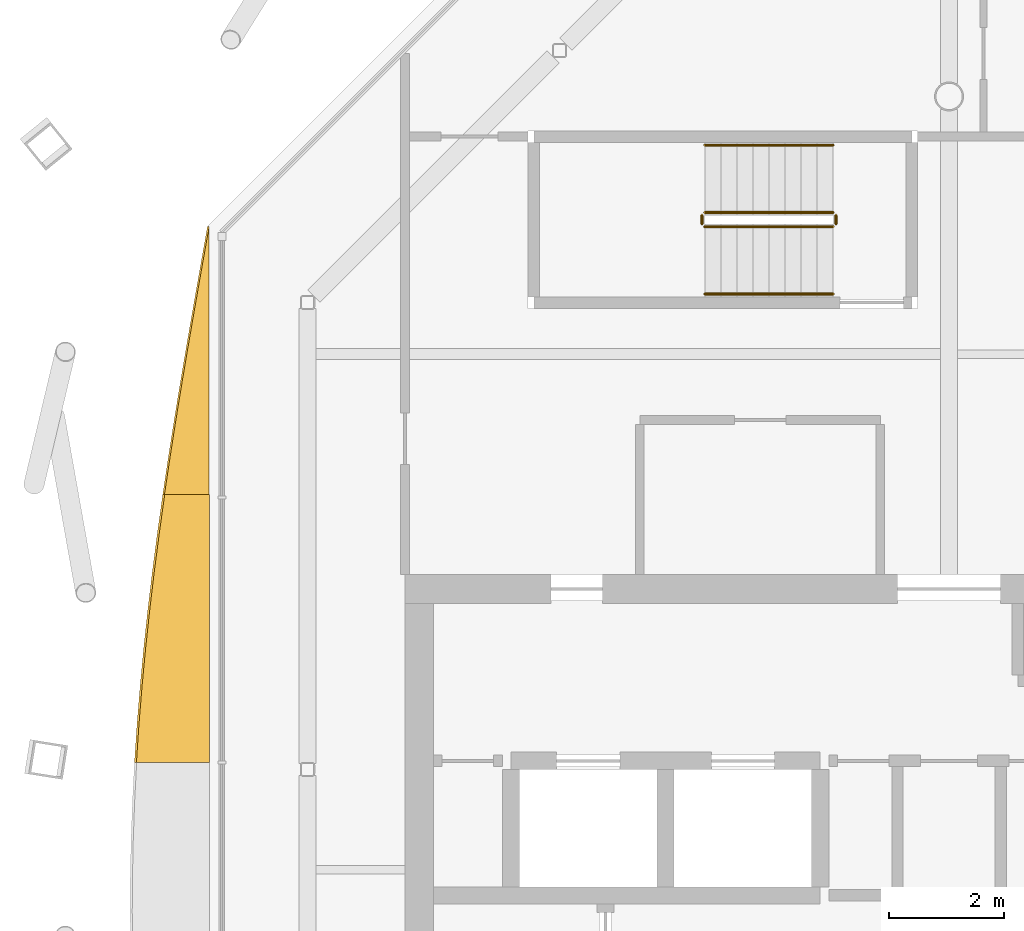
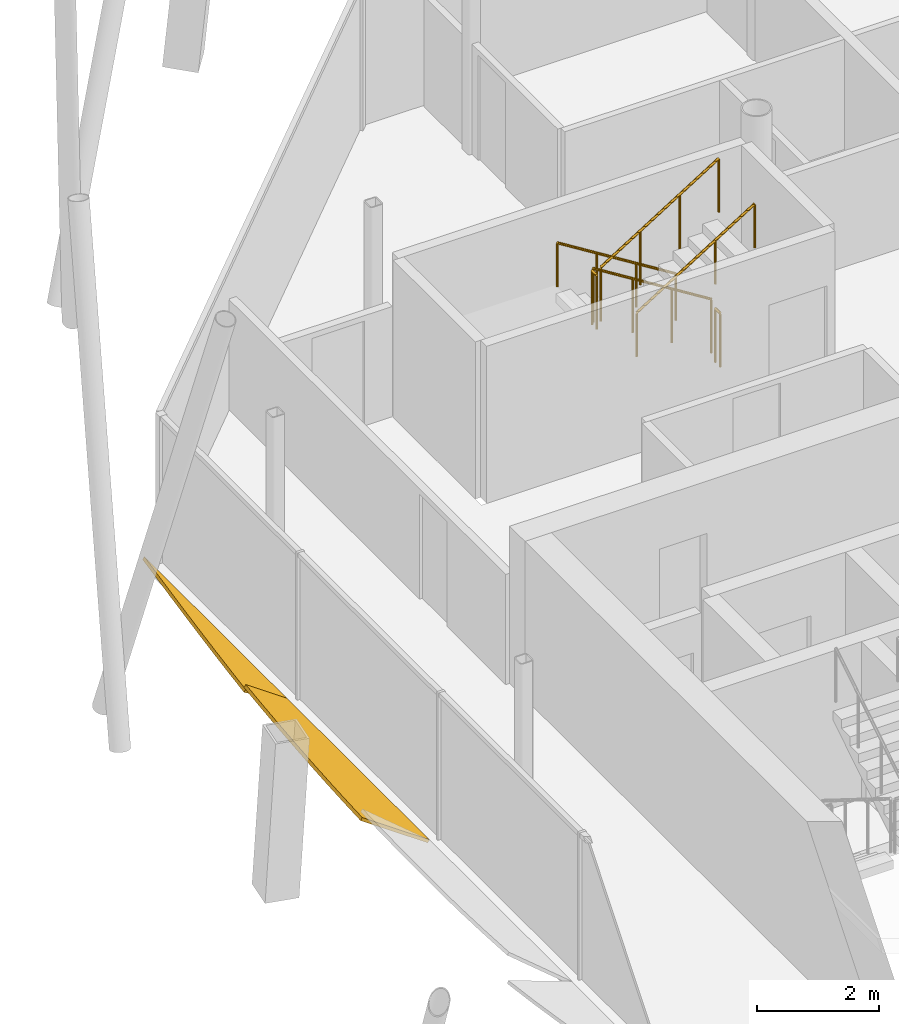
# One storey, part 12 of 13: 6 railings, 2 shading devices.
"""IFC4 building model written with IfcOpenShell, lengths in metres."""

from ifc_helpers import new_model, si_unit, direction, frame, origin, origin_2d, place, context, subcontext, project, spatial, polyline, circle, outline, extrude, material, layer, layer_set, type_object, element, save


model = new_model("IFC4")

# Units and contexts
model_context = context("Model", 3, precision=1e-05, world=origin(), true_north=direction((0.0, 1.0)))
body_context = subcontext(model_context, "Body", "Model", "MODEL_VIEW")
ifc_project = project(units=[si_unit("LENGTHUNIT", "METRE"), si_unit("AREAUNIT", "SQUARE_METRE"), si_unit("VOLUMEUNIT", "CUBIC_METRE"), si_unit("PLANEANGLEUNIT", "RADIAN"), si_unit("MASSUNIT", "GRAM", prefix="KILO")], contexts=[model_context])

# Site, building, storey
site_placement = place(None, origin())
site = spatial("IfcSite", under=ifc_project, at=site_placement, CompositionType="ELEMENT")
building_placement = place(site_placement, origin())
building = spatial("IfcBuilding", under=site, at=building_placement, Name="Tskaro Facet Tower", CompositionType="ELEMENT")
storey_placement = place(building_placement, frame((0.0, 0.0, 278.39990234375)))
storey = spatial("IfcBuildingStorey", under=building, at=storey_placement, Name="L74", CompositionType="ELEMENT", Elevation=278.39990234375)

# Shading devices
ifc_material_1 = material(Name="Bronze anodised aluminium 6063-T6", Category="aluminium")
ifc_layer = layer(ifc_material_1, 0.06005859375, Name="Bronze anodised aluminium 6063-T6")
ifc_layer_set = layer_set([ifc_layer], Name="Bronze anodised aluminium 6063-T6")
shading_device_type = type_object("IfcShadingDeviceType", Name="Bronze sun blade (FN1)", PredefinedType="USERDEFINED", material=ifc_layer_set)
shading_device_1_placement = place(storey_placement, frame((-12.91796875, 6.72998046875, 0.052001953125), z_axis=(0.500081505693, -3.4258059e-05, 0.865978340659), x_axis=(-1.7131822e-05, -0.999999999413, -2.9666737e-05)))
element("IfcShadingDevice", 1, at=shading_device_1_placement, inside=storey, type_object=shading_device_type, Name="Fin blade west 1", ObjectType="FIN", PredefinedType="USERDEFINED", context=body_context, shape_type="SweptSolid", body=[
    extrude(outline(polyline([(0.0, 0.0), (4.680175778503639, -7.92852617132077e-21), (4.68017578406253, -0.9015012683356952), (4.0117187476635365, -0.7860055761259133), (3.3430175769627644, -0.6644828808052109), (2.674316403404223, -0.5379337144882023), (2.0058593729176355, -0.4071144288666569), (1.337158199255015, -0.27323697654863793), (0.6687011731535143, -0.13726912971936392), (0.0, 0.0)])), origin(), (0.0, 0.0, -1.0), 0.06005859375),
])
shading_device_2_placement = place(storey_placement, frame((-12.91357421875, 2.0498046875, 0.04931640625), z_axis=(0.57352741183, -2.70428e-07, 0.819186369442), x_axis=(-1.55098e-07, -1.0, -2.21531e-07)))
element("IfcShadingDevice", 2, at=shading_device_2_placement, inside=storey, type_object=shading_device_type, Name="Fin blade west 2", ObjectType="FIN", PredefinedType="USERDEFINED", context=body_context, shape_type="SweptSolid", body=[
    extrude(outline(polyline([(0.0, 0.0), (4.6804199218748295, -1.238896837754226e-22), (4.680419921875805, -1.5563006442569964), (4.011718750032115, -1.5019785182919851), (3.3430175780799996, -1.436015970577643), (2.6745605468500067, -1.3590729664620989), (2.005859374983966, -1.2714295486269105), (1.3371582031501714, -1.174165746442544), (0.668701171903319, -1.0677615992627838), (-1.1631919013858602e-12, -0.9530971397858689), (0.0, 0.0)])), origin(), (0.0, 0.0, -1.0), 0.06005859375),
])

# Railings
ifc_material_2 = material(Name="Stainless steel", Category="steel")
railing_type_1 = type_object("IfcRailingType", Name="RL-GUARD-1100", PredefinedType="GUARDRAIL", material=ifc_material_2)
railing_1_placement = place(storey_placement, frame((-2.02490234375, 6.97509765625, 0.175048828125)))
element("IfcRailing", 3, at=railing_1_placement, inside=storey, type_object=railing_type_1, Name="L74 ST-3 stair guard 1", PredefinedType="GUARDRAIL", context=body_context, shape_type="SweptSolid", body=[
    extrude(circle(Radius=0.02392578125, at=origin_2d()), frame((0.0, 0.0, 1.076171875), z_axis=(-0.847972341737, 0.0, 0.530040477369), x_axis=(0.0, -1.0, 0.0)), (0.0, 0.0, 1.0), 2.6416015625),
    extrude(circle(Radius=0.02099609375, at=origin_2d()), origin(), (0.0, 0.0, 1.0), 1.052001953125),
    extrude(circle(Radius=0.02099609375, at=origin_2d()), frame((-0.74658203125, 0.0, 0.466796875)), (0.0, 0.0, 1.0), 1.052001953125),
    extrude(circle(Radius=0.02099609375, at=origin_2d()), frame((-1.493408203125, 0.0, 0.933349609375)), (0.0, 0.0, 1.0), 1.052001953125),
    extrude(circle(Radius=0.02099609375, at=origin_2d()), frame((-2.239990234375, 0.0, 1.400146484375)), (0.0, 0.0, 1.0), 1.052001953125),
])
railing_2_placement = place(storey_placement, frame((-4.31494140625, 6.925048828125, 1.5751953125)))
element("IfcRailing", 4, at=railing_2_placement, inside=storey, type_object=railing_type_1, Name="L74 ST-3 stair guard 2", PredefinedType="GUARDRAIL", context=body_context, shape_type="SweptSolid", body=[
    extrude(circle(Radius=0.02392578125, at=origin_2d()), frame((0.0, 0.0, 1.076171875), z_axis=(0.0, -1.0, 0.0), x_axis=(1.0, 0.0, 0.0)), (0.0, 0.0, 1.0), 0.150146484375),
    extrude(circle(Radius=0.02099609375, at=origin_2d()), origin(), (0.0, 0.0, 1.0), 1.052001953125),
    extrude(circle(Radius=0.02099609375, at=origin_2d()), frame((0.0, -0.150146484375, 0.0)), (0.0, 0.0, 1.0), 1.052001953125),
])
railing_3_placement = place(storey_placement, frame((-4.264892578125, 6.72509765625, 1.75)))
element("IfcRailing", 5, at=railing_3_placement, inside=storey, type_object=railing_type_1, Name="L74 ST-3 stair guard 3", PredefinedType="GUARDRAIL", context=body_context, shape_type="SweptSolid", body=[
    extrude(circle(Radius=0.02392578125, at=origin_2d()), frame((0.0, 0.0, 1.076171875), z_axis=(0.847972341737, 0.0, 0.530040477369), x_axis=(0.0, 1.0, 0.0)), (0.0, 0.0, 1.0), 2.6416015625),
    extrude(circle(Radius=0.02099609375, at=origin_2d()), origin(), (0.0, 0.0, 1.0), 1.052001953125),
    extrude(circle(Radius=0.02099609375, at=origin_2d()), frame((0.74658203125, 0.0, 0.466796875)), (0.0, 0.0, 1.0), 1.052001953125),
    extrude(circle(Radius=0.02099609375, at=origin_2d()), frame((1.493408203125, 0.0, 0.933349609375)), (0.0, 0.0, 1.0), 1.052001953125),
    extrude(circle(Radius=0.02099609375, at=origin_2d()), frame((2.239990234375, 0.0, 1.400146484375)), (0.0, 0.0, 1.0), 1.052001953125),
])
railing_4_placement = place(storey_placement, frame((-1.97509765625, 6.925048828125, 0.0)))
element("IfcRailing", 6, at=railing_4_placement, inside=storey, type_object=railing_type_1, Name="L74 ST-3 stair guard 4", PredefinedType="GUARDRAIL", context=body_context, shape_type="SweptSolid", body=[
    extrude(circle(Radius=0.02392578125, at=origin_2d()), frame((0.0, 0.0, 1.076171875), z_axis=(0.0, -1.0, 0.0), x_axis=(1.0, 0.0, 0.0)), (0.0, 0.0, 1.0), 0.150146484375),
    extrude(circle(Radius=0.02099609375, at=origin_2d()), origin(), (0.0, 0.0, 1.0), 1.052001953125),
    extrude(circle(Radius=0.02099609375, at=origin_2d()), frame((0.0, -0.150146484375, 0.0)), (0.0, 0.0, 1.0), 1.052001953125),
])
railing_type_2 = type_object("IfcRailingType", Name="RL-HANDRAIL-900", PredefinedType="HANDRAIL", material=ifc_material_2)
railing_5_placement = place(storey_placement, frame((-2.02490234375, 8.14990234375, 0.175048828125)))
element("IfcRailing", 7, at=railing_5_placement, inside=storey, type_object=railing_type_2, Name="L74 ST-3 stair handrail 1", PredefinedType="HANDRAIL", context=body_context, shape_type="SweptSolid", body=[
    extrude(circle(Radius=0.02392578125, at=origin_2d()), frame((0.0, 0.0, 0.8759765625), z_axis=(-0.847972341737, 0.0, 0.530040477369), x_axis=(0.0, -1.0, 0.0)), (0.0, 0.0, 1.0), 2.6416015625),
    extrude(circle(Radius=0.02099609375, at=origin_2d()), origin(), (0.0, 0.0, 1.0), 0.851806640625),
    extrude(circle(Radius=0.02099609375, at=origin_2d()), frame((-0.74658203125, 0.0, 0.466796875)), (0.0, 0.0, 1.0), 0.851806640625),
    extrude(circle(Radius=0.02099609375, at=origin_2d()), frame((-1.493408203125, 0.0, 0.933349609375)), (0.0, 0.0, 1.0), 0.851806640625),
    extrude(circle(Radius=0.02099609375, at=origin_2d()), frame((-2.239990234375, 0.0, 1.400146484375)), (0.0, 0.0, 1.0), 0.851806640625),
])
railing_6_placement = place(storey_placement, frame((-4.264892578125, 5.550048828125, 1.75)))
element("IfcRailing", 8, at=railing_6_placement, inside=storey, type_object=railing_type_2, Name="L74 ST-3 stair handrail 2", PredefinedType="HANDRAIL", context=body_context, shape_type="SweptSolid", body=[
    extrude(circle(Radius=0.02392578125, at=origin_2d()), frame((0.0, 0.0, 0.8759765625), z_axis=(0.847972341737, 0.0, 0.530040477369), x_axis=(0.0, 1.0, 0.0)), (0.0, 0.0, 1.0), 2.6416015625),
    extrude(circle(Radius=0.02099609375, at=origin_2d()), origin(), (0.0, 0.0, 1.0), 0.851806640625),
    extrude(circle(Radius=0.02099609375, at=origin_2d()), frame((0.74658203125, 0.0, 0.466796875)), (0.0, 0.0, 1.0), 0.851806640625),
    extrude(circle(Radius=0.02099609375, at=origin_2d()), frame((1.493408203125, 0.0, 0.933349609375)), (0.0, 0.0, 1.0), 0.851806640625),
    extrude(circle(Radius=0.02099609375, at=origin_2d()), frame((2.239990234375, 0.0, 1.400146484375)), (0.0, 0.0, 1.0), 0.851806640625),
])

save(model, "model.ifc")
